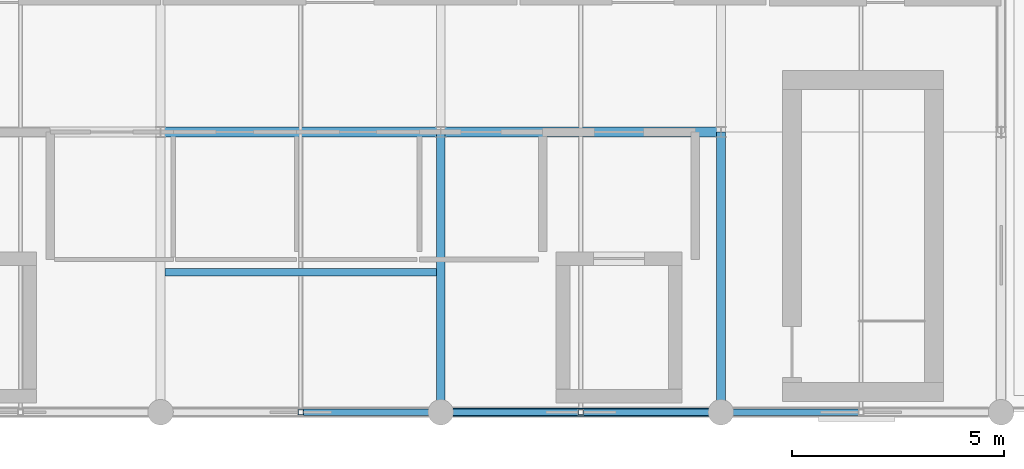
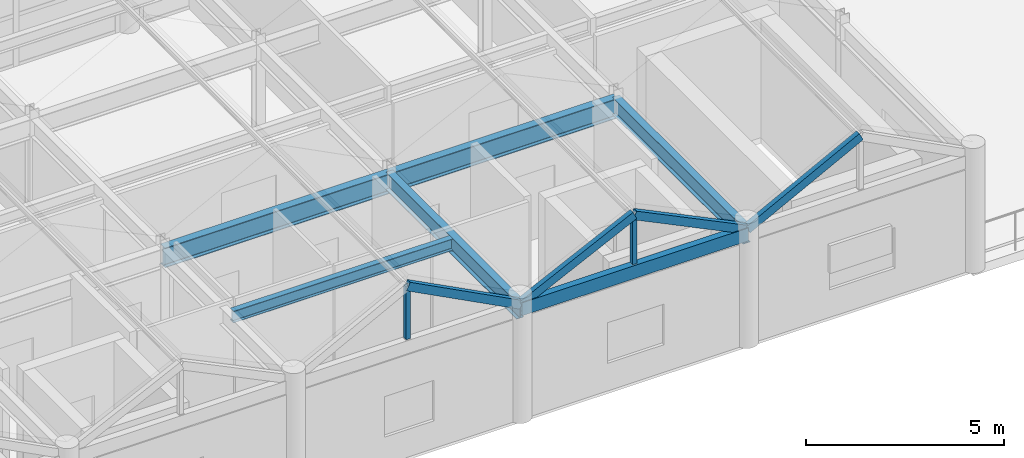
# One storey, part 5 of 21: 6 beams, 6 members.
"""IFC4 building model written with IfcOpenShell, lengths in metres."""

import ifcopenshell
import ifcopenshell.guid

model = None  # the IFC model being written
_history = None  # IfcOwnerHistory: only IFC2X3 demands one
_inside = {}  # id of a spatial element -> (the spatial element, [elements in it])
_under = {}  # id of a project, library or spatial element -> (it, [spatial elements below it])
_declared = {}  # id of a project -> (the project, [libraries it declares])
_typed = {}  # id of a type object -> (the type object, [elements of that type])
_made_of = {}  # id of a material, layer set ... -> (it, [elements and type objects made of it])


def new_model(schema):
    """Start an empty IFC model of exactly this schema.

    Asked for "IFC4X3", IfcOpenShell would pick the latest addendum, in which some entities
    have other attributes; the version numbers below select the first issue.
    IFC2X3 requires an IfcOwnerHistory on every rooted entity: one is made here for all.
    """
    global model, _history
    if schema == "IFC4X3":
        model = ifcopenshell.file(schema_version=(4, 3, 0, 0))
    else:
        model = ifcopenshell.file(schema=schema)
    _inside.clear()
    _under.clear()
    _declared.clear()
    _typed.clear()
    _made_of.clear()
    _history = None
    if model.schema == "IFC2X3":
        org = make("IfcOrganization", Name="unknown")
        user = make(
            "IfcPersonAndOrganization",
            ThePerson=make("IfcPerson", FamilyName="unknown"),
            TheOrganization=org,
        )
        app = make(
            "IfcApplication",
            ApplicationDeveloper=org,
            Version="unknown",
            ApplicationFullName="unknown",
            ApplicationIdentifier="unknown",
        )
        _history = make(
            "IfcOwnerHistory",
            OwningUser=user,
            OwningApplication=app,
            ChangeAction="ADDED",
            CreationDate=0,
        )
    return model


def make(cls, **values):
    """One entity of the class cls with the attributes given. An attribute that is None is left unset."""
    return model.create_entity(
        cls, **{name: value for name, value in values.items() if value is not None}
    )


def rooted(cls, **values):
    """An entity with a GlobalId (a new one), such as an element, a storey or a relation."""
    return make(cls, GlobalId=ifcopenshell.guid.new(), OwnerHistory=_history, **values)


def si_unit(unit_type, name, prefix=None):
    """IfcSIUnit, for example si_unit("LENGTHUNIT", "METRE", prefix="MILLI")."""
    return make("IfcSIUnit", UnitType=unit_type, Prefix=prefix, Name=name)


def assignment(units):
    """IfcUnitAssignment: the units of a project."""
    return None if units is None else make("IfcUnitAssignment", Units=units)


def point(xyz):
    """IfcCartesianPoint."""
    return None if xyz is None else make("IfcCartesianPoint", Coordinates=xyz)


def direction(xyz):
    """IfcDirection."""
    return None if xyz is None else make("IfcDirection", DirectionRatios=xyz)


def frame(location, z_axis=None, x_axis=None):
    """IfcAxis2Placement3D, a coordinate frame: its origin and axes. An axis left out is left unset."""
    return make(
        "IfcAxis2Placement3D",
        Location=point(location),
        Axis=direction(z_axis),
        RefDirection=direction(x_axis),
    )


def frame_2d(location, x_axis=None):
    """IfcAxis2Placement2D, a coordinate frame in the plane: its origin and x axis."""
    return make(
        "IfcAxis2Placement2D", Location=point(location), RefDirection=direction(x_axis)
    )


def origin():
    """The frame at (0, 0, 0) with its axes left unset."""
    return frame((0.0, 0.0, 0.0))


def origin_2d():
    """The frame at (0, 0) in the plane with its x axis left unset."""
    return frame_2d((0.0, 0.0))


def place(relative_to, where):
    """IfcLocalPlacement: puts the frame where relative to a parent placement (None: the world)."""
    return make(
        "IfcLocalPlacement", PlacementRelTo=relative_to, RelativePlacement=where
    )


def context(
    kind, dimensions, precision=None, world=None, true_north=None, identifier=None
):
    """IfcGeometricRepresentationContext, for example the 3D "Model" context."""
    return make(
        "IfcGeometricRepresentationContext",
        ContextIdentifier=identifier,
        ContextType=kind,
        CoordinateSpaceDimension=dimensions,
        Precision=precision,
        WorldCoordinateSystem=world,
        TrueNorth=true_north,
    )


def subcontext(parent, identifier, kind, view, scale=None):
    """IfcGeometricRepresentationSubContext, for example "Body" below "Model"."""
    return make(
        "IfcGeometricRepresentationSubContext",
        ContextIdentifier=identifier,
        ContextType=kind,
        ParentContext=parent,
        TargetScale=scale,
        TargetView=view,
    )


def project(units=None, contexts=None):
    """IfcProject with its units and contexts."""
    return rooted(
        "IfcProject",
        Name="project",
        RepresentationContexts=contexts,
        UnitsInContext=assignment(units),
    )


def spatial(cls, under=None, at=None, **own):
    """A site, building, storey or space (cls), placed at a placement, below another one or the project."""
    s = rooted(cls, ObjectPlacement=at, **own)
    if under is not None:
        _under.setdefault(under.id(), (under, []))[1].append(s)
    return s


def profile(cls, at=None, kind="AREA", **sizes):
    """A parametric profile (cls). Its sizes go by their IFC names, for example OverallWidth=200.0."""
    return make(cls, ProfileType=kind, Position=at, **sizes)


def hollow_rectangle(**sizes):
    """IfcRectangleHollowProfileDef."""
    return profile("IfcRectangleHollowProfileDef", **sizes)


def i_section(**sizes):
    """IfcIShapeProfileDef."""
    return profile("IfcIShapeProfileDef", **sizes)


def extrude(swept, where, along, depth):
    """IfcExtrudedAreaSolid: the profile swept, set in the frame where, extruded along a direction by depth."""
    return make(
        "IfcExtrudedAreaSolid",
        SweptArea=swept,
        Position=where,
        ExtrudedDirection=direction(along),
        Depth=depth,
    )


def shape(context_of_items, identifier, shape_type, items):
    """IfcShapeRepresentation: the items that make up one representation, for example the "Body"."""
    return make(
        "IfcShapeRepresentation",
        ContextOfItems=context_of_items,
        RepresentationIdentifier=identifier,
        RepresentationType=shape_type,
        Items=items,
    )


def material(Name=None, Category=None):
    """IfcMaterial."""
    return make("IfcMaterial", Name=Name, Category=Category)


def material_profile(
    of_material, cross_section, Name=None, Category=None, Priority=None
):
    """IfcMaterialProfile: a cross section and its material."""
    return make(
        "IfcMaterialProfile",
        Name=Name,
        Material=of_material,
        Profile=cross_section,
        Priority=Priority,
        Category=Category,
    )


def profile_set(profiles, Name=None, composite=None):
    """IfcMaterialProfileSet."""
    return make(
        "IfcMaterialProfileSet",
        Name=Name,
        MaterialProfiles=profiles,
        CompositeProfile=composite,
    )


def made_of(thing, what):
    """Note that an element or type object is made of a material, layer set ...; save() writes the relation."""
    if what is not None:
        _made_of.setdefault(what.id(), (what, []))[1].append(thing)
    return thing


def type_object(cls, material=None, **own):
    """A type object (cls), such as IfcWallType, which elements share."""
    return made_of(rooted(cls, **own), material)


def element(
    cls,
    number,
    at=None,
    inside=None,
    cuts=None,
    type_object=None,
    material=None,
    context=None,
    identifier="Body",
    shape_type=None,
    held_by="IfcProductDefinitionShape",
    body=None,
    shapes=None,
    **own,
):
    """One element of the class cls, such as IfcWall. Its Tag is "e" and its number.

    at: its placement. inside: the storey or other place that contains it. cuts: it is an
    opening in that element (IfcRelVoidsElement). A single representation is given by context,
    identifier, shape_type and body (its items); several are given by shapes. held_by: the class
    of the entity that holds the representations. save() writes the other relations.
    """
    e = rooted(cls, Tag="e%d" % number, ObjectPlacement=at, **own)
    if body is not None:
        shapes = [shape(context, identifier, shape_type, body)]
    if shapes is not None:
        e.Representation = make(held_by, Representations=shapes)
    if inside is not None:
        _inside.setdefault(inside.id(), (inside, []))[1].append(e)
    if cuts is not None:
        rooted(
            "IfcRelVoidsElement", RelatingBuildingElement=cuts, RelatedOpeningElement=e
        )
    if type_object is not None:
        _typed.setdefault(type_object.id(), (type_object, []))[1].append(e)
    return made_of(e, material)


def aggregate(whole, parts):
    """IfcRelAggregates: a whole, such as a stair, and the parts it consists of."""
    return rooted("IfcRelAggregates", RelatingObject=whole, RelatedObjects=parts)


def save(model, path):
    """Write the relations noted so far, then the file.

    IfcRelAggregates (storeys below a building ...), IfcRelContainedInSpatialStructure (elements
    in a storey), IfcRelDefinesByType, IfcRelAssociatesMaterial and IfcRelDeclares: one each for
    every whole, place, type object, material and project.
    """
    for whole, parts in _under.values():
        aggregate(whole, parts)
    for where, things in _inside.values():
        rooted(
            "IfcRelContainedInSpatialStructure",
            RelatedElements=things,
            RelatingStructure=where,
        )
    for kind, things in _typed.values():
        rooted("IfcRelDefinesByType", RelatedObjects=things, RelatingType=kind)
    for what, things in _made_of.values():
        rooted("IfcRelAssociatesMaterial", RelatedObjects=things, RelatingMaterial=what)
    for by, libraries in _declared.values():
        rooted("IfcRelDeclares", RelatingContext=by, RelatedDefinitions=libraries)
    model.write(path)


model = new_model("IFC4")

# Units and contexts
model_context = context("Model", 3, precision=1e-05, world=origin(), true_north=direction((0.0, 1.0)))
body_context = subcontext(model_context, "Body", "Model", "MODEL_VIEW")
ifc_project = project(units=[si_unit("LENGTHUNIT", "METRE"), si_unit("AREAUNIT", "SQUARE_METRE"), si_unit("VOLUMEUNIT", "CUBIC_METRE"), si_unit("PLANEANGLEUNIT", "RADIAN"), si_unit("MASSUNIT", "GRAM", prefix="KILO")], contexts=[model_context])

# Site, building, storey
site_placement = place(None, origin())
site = spatial("IfcSite", under=ifc_project, at=site_placement, CompositionType="ELEMENT")
building_placement = place(site_placement, origin())
building = spatial("IfcBuilding", under=site, at=building_placement, Name="Karori Crest Natural Sciences Institute", CompositionType="ELEMENT")
storey_placement = place(building_placement, frame((0.0, 0.0, 42.0)))
storey = spatial("IfcBuildingStorey", under=building, at=storey_placement, Name="L10", CompositionType="ELEMENT", Elevation=42.0)

# Beams
ifc_material_1 = material(Name="Structural steel AS/NZS 3679.1 Grade 350", Category="steel")
ifc_material_profile_1 = material_profile(ifc_material_1, i_section(OverallWidth=0.22900390625, OverallDepth=0.612060546875, WebThickness=0.011962890625, FlangeThickness=0.01953125, FilletRadius=0.013916015625, at=origin_2d()), Name="610UB125")
ifc_profile_set_1 = profile_set([ifc_material_profile_1], Name="Structural steel AS/NZS 3679.1 Grade 350")
beam_type_1 = type_object("IfcBeamType", Name="BT-04", PredefinedType="BEAM", material=ifc_profile_set_1)
beam_1_placement = place(storey_placement, frame((116.800048828125, 7.39990234375, 3.263916015625), z_axis=(1.0, 0.0, 0.0), x_axis=(0.0, 1.0, 0.0)))
element("IfcBeam", 1, at=beam_1_placement, inside=storey, type_object=beam_type_1, Name="Beam B-2835", PredefinedType="BEAM", context=body_context, shape_type="SweptSolid", body=[
    extrude(i_section(OverallWidth=0.22900390625, OverallDepth=0.612060546875, WebThickness=0.011962890625, FlangeThickness=0.01953125, FilletRadius=0.013916015625, at=origin_2d()), origin(), (0.0, 0.0, 1.0), 6.599853515625),
])
beam_2_placement = place(storey_placement, frame((123.39990234375, 7.39990234375, 3.263916015625), z_axis=(1.0, 0.0, 0.0), x_axis=(0.0, 1.0, 0.0)))
element("IfcBeam", 2, at=beam_2_placement, inside=storey, type_object=beam_type_1, Name="Beam B-2836", PredefinedType="BEAM", context=body_context, shape_type="SweptSolid", body=[
    extrude(i_section(OverallWidth=0.22900390625, OverallDepth=0.612060546875, WebThickness=0.011962890625, FlangeThickness=0.01953125, FilletRadius=0.013916015625, at=origin_2d()), origin(), (0.0, 0.0, 1.0), 6.60009765625),
])
ifc_material_profile_2 = material_profile(ifc_material_1, i_section(OverallWidth=0.208984375, OverallDepth=0.532958984375, WebThickness=0.01025390625, FlangeThickness=0.015625, FilletRadius=0.013916015625, at=origin_2d()), Name="530UB92.4")
ifc_profile_set_2 = profile_set([ifc_material_profile_2], Name="Structural steel AS/NZS 3679.1 Grade 350")
beam_type_2 = type_object("IfcBeamType", Name="BT-05", PredefinedType="BEAM", material=ifc_profile_set_2)
for number, where, z_axis, x_axis, name in (
    (3, (123.39990234375, 0.800048828125, 3.303466796875), (0.0, 1.0, 0.0), (-1.0, 0.0, 0.0), "Beam B-2856"),
    (4, (130.0, 0.800048828125, 3.303466796875), (0.0, 1.0, 0.0), (-1.0, 0.0, 0.0), "Beam B-2859"),
):
    element("IfcBeam", number, at=place(storey_placement, frame(where, z_axis=z_axis, x_axis=x_axis)), inside=storey, type_object=beam_type_2, Name=name, PredefinedType="BEAM", context=body_context, shape_type="SweptSolid", body=[
        extrude(i_section(OverallWidth=0.208984375, OverallDepth=0.532958984375, WebThickness=0.01025390625, FlangeThickness=0.015625, FilletRadius=0.013916015625, at=origin_2d()), origin(), (0.0, 0.0, 1.0), 6.599853515625),
    ])
ifc_material_profile_3 = material_profile(ifc_material_1, i_section(OverallWidth=0.172119140625, OverallDepth=0.35888671875, WebThickness=0.008056640625, FlangeThickness=0.012939453125, FilletRadius=0.010986328125, at=origin_2d()), Name="360UB56.7")
ifc_profile_set_3 = profile_set([ifc_material_profile_3], Name="Structural steel AS/NZS 3679.1 Grade 350")
beam_type_3 = type_object("IfcBeamType", Name="BT-08", PredefinedType="BEAM", material=ifc_profile_set_3)
beam_3_placement = place(storey_placement, frame((116.904541015625, 4.10009765625, 3.390380859375), z_axis=(1.0, 0.0, 0.0), x_axis=(0.0, 1.0, 0.0)))
element("IfcBeam", 5, at=beam_3_placement, inside=storey, type_object=beam_type_3, Name="Beam B-2869", PredefinedType="BEAM", context=body_context, shape_type="SweptSolid", body=[
    extrude(i_section(OverallWidth=0.172119140625, OverallDepth=0.35888671875, WebThickness=0.008056640625, FlangeThickness=0.012939453125, FilletRadius=0.010986328125, at=origin_2d()), origin(), (0.0, 0.0, 1.0), 6.390869140625),
])
ifc_material_2 = material(Name="Hollow structural steel AS/NZS 1163 Grade C350", Category="steel")
ifc_material_profile_4 = material_profile(ifc_material_2, hollow_rectangle(XDim=0.199951171875, YDim=0.39990234375, WallThickness=0.012451171875, at=origin_2d()), Name="RHS400x200x12.5")
ifc_profile_set_4 = profile_set([ifc_material_profile_4], Name="Hollow structural steel AS/NZS 1163 Grade C350")
beam_type_4 = type_object("IfcBeamType", Name="BT-14", PredefinedType="SPANDREL", material=ifc_profile_set_4)
beam_4_placement = place(storey_placement, frame((123.39990234375, 0.800048828125, 3.3701171875), z_axis=(1.0, 0.0, 0.0), x_axis=(0.0, 1.0, 0.0)))
element("IfcBeam", 6, at=beam_4_placement, inside=storey, type_object=beam_type_4, Name="Beam B-2832", PredefinedType="SPANDREL", context=body_context, shape_type="SweptSolid", body=[
    extrude(hollow_rectangle(XDim=0.199951171875, YDim=0.39990234375, WallThickness=0.012451171875, at=origin_2d()), origin(), (0.0, 0.0, 1.0), 6.60009765625),
])

# Members
ifc_material_profile_5 = material_profile(ifc_material_2, hollow_rectangle(XDim=0.14990234375, YDim=0.25, WallThickness=0.009033203125, at=origin_2d()), Name="RHS250x150x9")
ifc_profile_set_5 = profile_set([ifc_material_profile_5], Name="Hollow structural steel AS/NZS 1163 Grade C350")
member_type_1 = type_object("IfcMemberType", Name="MT-08", PredefinedType="RAFTER", material=ifc_profile_set_5)
member_1_placement = place(storey_placement, frame((123.39990234375, 0.800048828125, 3.489990234375), z_axis=(-0.886768441903, 0.0, 0.462213944451), x_axis=(0.0, -1.0, 0.0)))
element("IfcMember", 7, at=member_1_placement, inside=storey, type_object=member_type_1, Name="Member M-0478", PredefinedType="RAFTER", context=body_context, shape_type="SweptSolid", body=[
    extrude(hollow_rectangle(XDim=0.14990234375, YDim=0.25, WallThickness=0.009033203125, at=origin_2d()), origin(), (0.0, 0.0, 1.0), 3.72119140625),
])
for number, where, z_axis, x_axis, name in (
    (8, (123.39990234375, 0.800048828125, 3.489990234375), (0.899806188121, 0.0, 0.436289839235), (0.0, 1.0, 0.0), "Member M-0484"),
    (9, (130.0, 0.800048828125, 3.489990234375), (-0.899806188121, 0.0, 0.436289839235), (0.0, -1.0, 0.0), "Member M-0485"),
):
    element("IfcMember", number, at=place(storey_placement, frame(where, z_axis=z_axis, x_axis=x_axis)), inside=storey, type_object=member_type_1, Name=name, PredefinedType="RAFTER", context=body_context, shape_type="SweptSolid", body=[
        extrude(hollow_rectangle(XDim=0.14990234375, YDim=0.25, WallThickness=0.009033203125, at=origin_2d()), origin(), (0.0, 0.0, 1.0), 3.66748046875),
    ])
member_2_placement = place(storey_placement, frame((130.0, 0.800048828125, 3.489990234375), z_axis=(0.886782457456, 0.0, 0.462187054285), x_axis=(0.0, 1.0, 0.0)))
element("IfcMember", 10, at=member_2_placement, inside=storey, type_object=member_type_1, Name="Member M-0491", PredefinedType="RAFTER", context=body_context, shape_type="SweptSolid", body=[
    extrude(hollow_rectangle(XDim=0.14990234375, YDim=0.25, WallThickness=0.009033203125, at=origin_2d()), origin(), (0.0, 0.0, 1.0), 3.721435546875),
])
ifc_material_profile_6 = material_profile(ifc_material_2, hollow_rectangle(XDim=0.125, YDim=0.125, WallThickness=0.006103515625, at=origin_2d()), Name="SHS125x125x6")
ifc_profile_set_6 = profile_set([ifc_material_profile_6], Name="Hollow structural steel AS/NZS 1163 Grade C350")
member_type_2 = type_object("IfcMemberType", Name="MT-20", PredefinedType="STRUT", material=ifc_profile_set_6)
member_3_placement = place(storey_placement, frame((120.10009765625, 0.800048828125, 3.58203125), z_axis=(0.0, 0.0, 1.0), x_axis=(1.0, 0.0, 0.0)))
element("IfcMember", 11, at=member_3_placement, inside=storey, type_object=member_type_2, Name="Member M-0475", PredefinedType="STRUT", context=body_context, shape_type="SweptSolid", body=[
    extrude(hollow_rectangle(XDim=0.125, YDim=0.125, WallThickness=0.006103515625, at=origin_2d()), origin(), (0.0, 0.0, 1.0), 1.6279296875),
])
member_4_placement = place(storey_placement, frame((126.699951171875, 0.800048828125, 3.58203125), z_axis=(0.0, 0.0, 1.0), x_axis=(1.0, 0.0, 0.0)))
element("IfcMember", 12, at=member_4_placement, inside=storey, type_object=member_type_2, Name="Member M-0482", PredefinedType="STRUT", context=body_context, shape_type="SweptSolid", body=[
    extrude(hollow_rectangle(XDim=0.125, YDim=0.125, WallThickness=0.006103515625, at=origin_2d()), origin(), (0.0, 0.0, 1.0), 1.508056640625),
])

save(model, "model.ifc")
